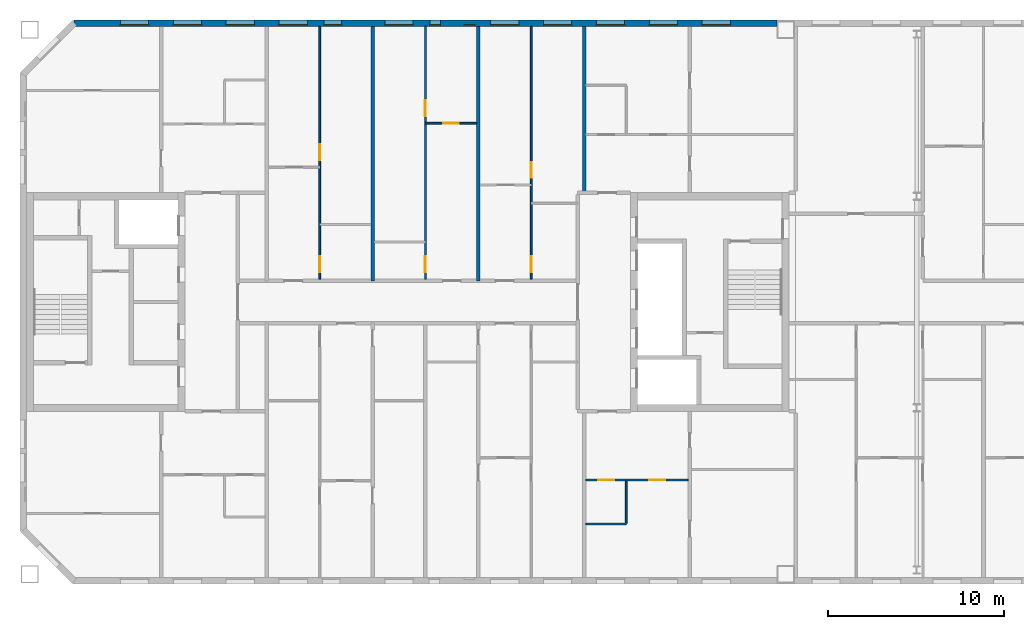
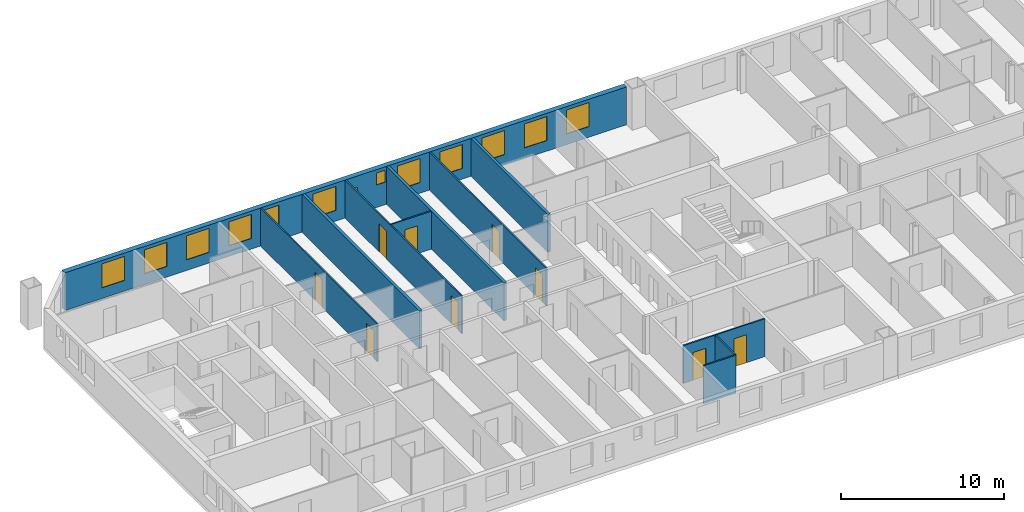
# One storey, part 7 of 19: 13 windows, 11 walls, 9 doors, 22 openings.
"""IFC4 building model written with IfcOpenShell, lengths in metres."""

from ifc_helpers import new_model, si_unit, direction, frame, frame_2d, origin, place, context, subcontext, project, spatial, rectangle, extrude, material, layer, layer_set, type_object, element, fill, save


model = new_model("IFC4")

# Units and contexts
model_context = context("Model", 3, precision=1e-05, world=origin(), true_north=direction((0.0, 1.0)))
body_context = subcontext(model_context, "Body", "Model", "MODEL_VIEW")
ifc_project = project(units=[si_unit("LENGTHUNIT", "METRE"), si_unit("AREAUNIT", "SQUARE_METRE"), si_unit("VOLUMEUNIT", "CUBIC_METRE"), si_unit("PLANEANGLEUNIT", "RADIAN"), si_unit("MASSUNIT", "GRAM", prefix="KILO")], contexts=[model_context])

# Site, building, storey
site_placement = place(None, origin())
site = spatial("IfcSite", under=ifc_project, at=site_placement, CompositionType="ELEMENT")
building_placement = place(site_placement, origin())
building = spatial("IfcBuilding", under=site, at=building_placement, Name="Tuart Gate Housing", CompositionType="ELEMENT")
storey_placement = place(building_placement, frame((0.0, 0.0, 230.699951171875)))
storey = spatial("IfcBuildingStorey", under=building, at=storey_placement, Name="L65", CompositionType="ELEMENT", Elevation=230.699951171875)

# Wall, openings, windows
ifc_material_1 = material(Name="Brick", Category="masonry")
ifc_layer_1 = layer(ifc_material_1, 0.360107421875)
ifc_layer_set_1 = layer_set([ifc_layer_1], Name="Brick pier and spandrel wall 360")
wall_type_1 = type_object("IfcWallType", Name="Brick pier and spandrel wall 360", PredefinedType="STANDARD", material=ifc_layer_set_1)
wall_1_placement = place(storey_placement, frame((74.949951171875, 85.820068359375, 0.0), z_axis=(0.0, 0.0, 1.0), x_axis=(-1.0, 0.0, 0.0)))
wall_1 = element("IfcWall", 1, at=wall_1_placement, inside=storey, type_object=wall_type_1, Name="External wall BLK-N L65", PredefinedType="STANDARD", context=body_context, shape_type="SweptSolid", body=[
    extrude(rectangle(XDim=39.87548828125, YDim=0.360107421875, at=frame_2d((19.937744140625, 0.0))), origin(), (0.0, 0.0, 1.0), 2.85009765625),
])
opening_1_placement = place(wall_1_placement, frame((2.64990234375, 0.0, 0.800048828125)))
opening_1 = element("IfcOpeningElement", 2, at=opening_1_placement, cuts=wall_1, Name="Opening W1", PredefinedType="OPENING", context=body_context, shape_type="SweptSolid", body=[
    extrude(rectangle(XDim=1.60009765625, YDim=1.800048828125, at=frame_2d((0.800048828125, 0.89990234375))), frame((0.0, 0.18994140625, 0.0), z_axis=(0.0, -1.0, 0.0), x_axis=(1.0, 0.0, 0.0)), (0.0, 0.0, 1.0), 0.380126953125),
])
opening_2_placement = place(wall_1_placement, frame((5.64990234375, 0.0, 0.800048828125)))
opening_2 = element("IfcOpeningElement", 3, at=opening_2_placement, cuts=wall_1, Name="Opening W1", PredefinedType="OPENING", context=body_context, shape_type="SweptSolid", body=[
    extrude(rectangle(XDim=1.60009765625, YDim=1.800048828125, at=frame_2d((0.800048828125, 0.89990234375))), frame((0.0, 0.18994140625, 0.0), z_axis=(0.0, -1.0, 0.0), x_axis=(1.0, 0.0, 0.0)), (0.0, 0.0, 1.0), 0.380126953125),
])
opening_3_placement = place(wall_1_placement, frame((8.64990234375, 0.0, 0.800048828125)))
opening_3 = element("IfcOpeningElement", 4, at=opening_3_placement, cuts=wall_1, Name="Opening W1", PredefinedType="OPENING", context=body_context, shape_type="SweptSolid", body=[
    extrude(rectangle(XDim=1.60009765625, YDim=1.800048828125, at=frame_2d((0.800048828125, 0.89990234375))), frame((0.0, 0.18994140625, 0.0), z_axis=(0.0, -1.0, 0.0), x_axis=(1.0, 0.0, 0.0)), (0.0, 0.0, 1.0), 0.380126953125),
])
opening_4_placement = place(wall_1_placement, frame((11.64990234375, 0.0, 0.800048828125)))
opening_4 = element("IfcOpeningElement", 5, at=opening_4_placement, cuts=wall_1, Name="Opening W1", PredefinedType="OPENING", context=body_context, shape_type="SweptSolid", body=[
    extrude(rectangle(XDim=1.60009765625, YDim=1.800048828125, at=frame_2d((0.800048828125, 0.89990234375))), frame((0.0, 0.18994140625, 0.0), z_axis=(0.0, -1.0, 0.0), x_axis=(1.0, 0.0, 0.0)), (0.0, 0.0, 1.0), 0.380126953125),
])
opening_5_placement = place(wall_1_placement, frame((14.64990234375, 0.0, 0.800048828125)))
opening_5 = element("IfcOpeningElement", 6, at=opening_5_placement, cuts=wall_1, Name="Opening W1", PredefinedType="OPENING", context=body_context, shape_type="SweptSolid", body=[
    extrude(rectangle(XDim=1.60009765625, YDim=1.800048828125, at=frame_2d((0.800048828125, 0.89990234375))), frame((0.0, 0.18994140625, 0.0), z_axis=(0.0, -1.0, 0.0), x_axis=(1.0, 0.0, 0.0)), (0.0, 0.0, 1.0), 0.380126953125),
])
opening_6_placement = place(wall_1_placement, frame((17.14990234375, 0.0, 1.699951171875)))
opening_6 = element("IfcOpeningElement", 7, at=opening_6_placement, cuts=wall_1, Name="Opening W1W", PredefinedType="OPENING", context=body_context, shape_type="SweptSolid", body=[
    extrude(rectangle(XDim=0.60009765625, YDim=0.89990234375, at=frame_2d((0.300048828125, 0.449951171875))), frame((0.0, 0.18994140625, 0.0), z_axis=(0.0, -1.0, 0.0), x_axis=(1.0, 0.0, 0.0)), (0.0, 0.0, 1.0), 0.380126953125),
])
opening_7_placement = place(wall_1_placement, frame((20.64990234375, 0.0, 0.800048828125)))
opening_7 = element("IfcOpeningElement", 8, at=opening_7_placement, cuts=wall_1, Name="Opening W1", PredefinedType="OPENING", context=body_context, shape_type="SweptSolid", body=[
    extrude(rectangle(XDim=1.60009765625, YDim=1.800048828125, at=frame_2d((0.800048828125, 0.89990234375))), frame((0.0, 0.18994140625, 0.0), z_axis=(0.0, -1.0, 0.0), x_axis=(1.0, 0.0, 0.0)), (0.0, 0.0, 1.0), 0.380126953125),
])
opening_8_placement = place(wall_1_placement, frame((24.699951171875, 0.0, 0.800048828125)))
opening_8 = element("IfcOpeningElement", 9, at=opening_8_placement, cuts=wall_1, Name="Opening W1C", PredefinedType="OPENING", context=body_context, shape_type="SweptSolid", body=[
    extrude(rectangle(XDim=1.0, YDim=1.800048828125, at=frame_2d((0.5, 0.89990234375))), frame((0.0, 0.18994140625, 0.0), z_axis=(0.0, -1.0, 0.0), x_axis=(1.0, 0.0, 0.0)), (0.0, 0.0, 1.0), 0.380126953125),
])
opening_9_placement = place(wall_1_placement, frame((26.64990234375, 0.0, 0.800048828125)))
opening_9 = element("IfcOpeningElement", 10, at=opening_9_placement, cuts=wall_1, Name="Opening W1", PredefinedType="OPENING", context=body_context, shape_type="SweptSolid", body=[
    extrude(rectangle(XDim=1.60009765625, YDim=1.800048828125, at=frame_2d((0.800048828125, 0.89990234375))), frame((0.0, 0.18994140625, 0.0), z_axis=(0.0, -1.0, 0.0), x_axis=(1.0, 0.0, 0.0)), (0.0, 0.0, 1.0), 0.380126953125),
])
opening_10_placement = place(wall_1_placement, frame((29.64990234375, 0.0, 0.800048828125)))
opening_10 = element("IfcOpeningElement", 11, at=opening_10_placement, cuts=wall_1, Name="Opening W1", PredefinedType="OPENING", context=body_context, shape_type="SweptSolid", body=[
    extrude(rectangle(XDim=1.60009765625, YDim=1.800048828125, at=frame_2d((0.800048828125, 0.89990234375))), frame((0.0, 0.18994140625, 0.0), z_axis=(0.0, -1.0, 0.0), x_axis=(1.0, 0.0, 0.0)), (0.0, 0.0, 1.0), 0.380126953125),
])
opening_11_placement = place(wall_1_placement, frame((32.64990234375, 0.0, 0.800048828125)))
opening_11 = element("IfcOpeningElement", 12, at=opening_11_placement, cuts=wall_1, Name="Opening W1", PredefinedType="OPENING", context=body_context, shape_type="SweptSolid", body=[
    extrude(rectangle(XDim=1.60009765625, YDim=1.800048828125, at=frame_2d((0.800048828125, 0.89990234375))), frame((0.0, 0.18994140625, 0.0), z_axis=(0.0, -1.0, 0.0), x_axis=(1.0, 0.0, 0.0)), (0.0, 0.0, 1.0), 0.380126953125),
])
opening_12_placement = place(wall_1_placement, frame((35.64990234375, 0.0, 0.800048828125)))
opening_12 = element("IfcOpeningElement", 13, at=opening_12_placement, cuts=wall_1, Name="Opening W1", PredefinedType="OPENING", context=body_context, shape_type="SweptSolid", body=[
    extrude(rectangle(XDim=1.60009765625, YDim=1.800048828125, at=frame_2d((0.800048828125, 0.89990234375))), frame((0.0, 0.18994140625, 0.0), z_axis=(0.0, -1.0, 0.0), x_axis=(1.0, 0.0, 0.0)), (0.0, 0.0, 1.0), 0.380126953125),
])
opening_13_placement = place(wall_1_placement, frame((19.10009765625, 0.0, 0.800048828125)))
opening_13 = element("IfcOpeningElement", 14, at=opening_13_placement, cuts=wall_1, Name="Opening W1Q", PredefinedType="OPENING", context=body_context, shape_type="SweptSolid", body=[
    extrude(rectangle(XDim=0.60009765625, YDim=1.199951171875, at=frame_2d((0.300048828125, 0.60009765625))), frame((0.0, 0.18994140625, 0.0), z_axis=(0.0, -1.0, 0.0), x_axis=(1.0, 0.0, 0.0)), (0.0, 0.0, 1.0), 0.380126953125),
])
ifc_material_2 = material(Name="Aluminium frame with clear glass", Category="aluminium")
window_type_1 = type_object("IfcWindowType", Name="Punched window 1000 x 1800", PartitioningType="SINGLE_PANEL", PredefinedType="WINDOW", material=ifc_material_2)
window_1_placement = place(opening_8_placement, origin())
window_1 = element("IfcWindow", 15, at=window_1_placement, inside=storey, type_object=window_type_1, Name="Window W1C", OverallHeight=1.800048828125, OverallWidth=1.0, PartitioningType="SINGLE_PANEL", PredefinedType="WINDOW", context=body_context, shape_type="SweptSolid", body=[
    extrude(rectangle(XDim=1.0, YDim=1.800048828125, at=frame_2d((0.5, 0.89990234375))), frame((0.0, 0.150146484375, 0.0), z_axis=(0.0, -1.0, 0.0), x_axis=(1.0, 0.0, 0.0)), (0.0, 0.0, 1.0), 0.06005859375),
])
fill(opening_8, window_1)
ifc_material_3 = material(Name="Aluminium frame with clear glass", Category="aluminium")
window_type_2 = type_object("IfcWindowType", Name="Punched window 1600 x 1800", PartitioningType="SINGLE_PANEL", PredefinedType="WINDOW", material=ifc_material_3)
window_2_placement = place(opening_1_placement, origin())
window_2 = element("IfcWindow", 16, at=window_2_placement, inside=storey, type_object=window_type_2, Name="Window W1", OverallHeight=1.800048828125, OverallWidth=1.60009765625, PartitioningType="SINGLE_PANEL", PredefinedType="WINDOW", context=body_context, shape_type="SweptSolid", body=[
    extrude(rectangle(XDim=1.60009765625, YDim=1.800048828125, at=frame_2d((0.800048828125, 0.89990234375))), frame((0.0, 0.150146484375, 0.0), z_axis=(0.0, -1.0, 0.0), x_axis=(1.0, 0.0, 0.0)), (0.0, 0.0, 1.0), 0.06005859375),
])
fill(opening_1, window_2)
window_3_placement = place(opening_2_placement, origin())
window_3 = element("IfcWindow", 17, at=window_3_placement, inside=storey, type_object=window_type_2, Name="Window W1", OverallHeight=1.800048828125, OverallWidth=1.60009765625, PartitioningType="SINGLE_PANEL", PredefinedType="WINDOW", context=body_context, shape_type="SweptSolid", body=[
    extrude(rectangle(XDim=1.60009765625, YDim=1.800048828125, at=frame_2d((0.800048828125, 0.89990234375))), frame((0.0, 0.150146484375, 0.0), z_axis=(0.0, -1.0, 0.0), x_axis=(1.0, 0.0, 0.0)), (0.0, 0.0, 1.0), 0.06005859375),
])
fill(opening_2, window_3)
window_4_placement = place(opening_3_placement, origin())
window_4 = element("IfcWindow", 18, at=window_4_placement, inside=storey, type_object=window_type_2, Name="Window W1", OverallHeight=1.800048828125, OverallWidth=1.60009765625, PartitioningType="SINGLE_PANEL", PredefinedType="WINDOW", context=body_context, shape_type="SweptSolid", body=[
    extrude(rectangle(XDim=1.60009765625, YDim=1.800048828125, at=frame_2d((0.800048828125, 0.89990234375))), frame((0.0, 0.150146484375, 0.0), z_axis=(0.0, -1.0, 0.0), x_axis=(1.0, 0.0, 0.0)), (0.0, 0.0, 1.0), 0.06005859375),
])
fill(opening_3, window_4)
window_5_placement = place(opening_4_placement, origin())
window_5 = element("IfcWindow", 19, at=window_5_placement, inside=storey, type_object=window_type_2, Name="Window W1", OverallHeight=1.800048828125, OverallWidth=1.60009765625, PartitioningType="SINGLE_PANEL", PredefinedType="WINDOW", context=body_context, shape_type="SweptSolid", body=[
    extrude(rectangle(XDim=1.60009765625, YDim=1.800048828125, at=frame_2d((0.800048828125, 0.89990234375))), frame((0.0, 0.150146484375, 0.0), z_axis=(0.0, -1.0, 0.0), x_axis=(1.0, 0.0, 0.0)), (0.0, 0.0, 1.0), 0.06005859375),
])
fill(opening_4, window_5)
window_6_placement = place(opening_5_placement, origin())
window_6 = element("IfcWindow", 20, at=window_6_placement, inside=storey, type_object=window_type_2, Name="Window W1", OverallHeight=1.800048828125, OverallWidth=1.60009765625, PartitioningType="SINGLE_PANEL", PredefinedType="WINDOW", context=body_context, shape_type="SweptSolid", body=[
    extrude(rectangle(XDim=1.60009765625, YDim=1.800048828125, at=frame_2d((0.800048828125, 0.89990234375))), frame((0.0, 0.150146484375, 0.0), z_axis=(0.0, -1.0, 0.0), x_axis=(1.0, 0.0, 0.0)), (0.0, 0.0, 1.0), 0.06005859375),
])
fill(opening_5, window_6)
window_7_placement = place(opening_7_placement, origin())
window_7 = element("IfcWindow", 21, at=window_7_placement, inside=storey, type_object=window_type_2, Name="Window W1", OverallHeight=1.800048828125, OverallWidth=1.60009765625, PartitioningType="SINGLE_PANEL", PredefinedType="WINDOW", context=body_context, shape_type="SweptSolid", body=[
    extrude(rectangle(XDim=1.60009765625, YDim=1.800048828125, at=frame_2d((0.800048828125, 0.89990234375))), frame((0.0, 0.150146484375, 0.0), z_axis=(0.0, -1.0, 0.0), x_axis=(1.0, 0.0, 0.0)), (0.0, 0.0, 1.0), 0.06005859375),
])
fill(opening_7, window_7)
window_8_placement = place(opening_9_placement, origin())
window_8 = element("IfcWindow", 22, at=window_8_placement, inside=storey, type_object=window_type_2, Name="Window W1", OverallHeight=1.800048828125, OverallWidth=1.60009765625, PartitioningType="SINGLE_PANEL", PredefinedType="WINDOW", context=body_context, shape_type="SweptSolid", body=[
    extrude(rectangle(XDim=1.60009765625, YDim=1.800048828125, at=frame_2d((0.800048828125, 0.89990234375))), frame((0.0, 0.150146484375, 0.0), z_axis=(0.0, -1.0, 0.0), x_axis=(1.0, 0.0, 0.0)), (0.0, 0.0, 1.0), 0.06005859375),
])
fill(opening_9, window_8)
window_9_placement = place(opening_10_placement, origin())
window_9 = element("IfcWindow", 23, at=window_9_placement, inside=storey, type_object=window_type_2, Name="Window W1", OverallHeight=1.800048828125, OverallWidth=1.60009765625, PartitioningType="SINGLE_PANEL", PredefinedType="WINDOW", context=body_context, shape_type="SweptSolid", body=[
    extrude(rectangle(XDim=1.60009765625, YDim=1.800048828125, at=frame_2d((0.800048828125, 0.89990234375))), frame((0.0, 0.150146484375, 0.0), z_axis=(0.0, -1.0, 0.0), x_axis=(1.0, 0.0, 0.0)), (0.0, 0.0, 1.0), 0.06005859375),
])
fill(opening_10, window_9)
window_10_placement = place(opening_11_placement, origin())
window_10 = element("IfcWindow", 24, at=window_10_placement, inside=storey, type_object=window_type_2, Name="Window W1", OverallHeight=1.800048828125, OverallWidth=1.60009765625, PartitioningType="SINGLE_PANEL", PredefinedType="WINDOW", context=body_context, shape_type="SweptSolid", body=[
    extrude(rectangle(XDim=1.60009765625, YDim=1.800048828125, at=frame_2d((0.800048828125, 0.89990234375))), frame((0.0, 0.150146484375, 0.0), z_axis=(0.0, -1.0, 0.0), x_axis=(1.0, 0.0, 0.0)), (0.0, 0.0, 1.0), 0.06005859375),
])
fill(opening_11, window_10)
window_11_placement = place(opening_12_placement, origin())
window_11 = element("IfcWindow", 25, at=window_11_placement, inside=storey, type_object=window_type_2, Name="Window W1", OverallHeight=1.800048828125, OverallWidth=1.60009765625, PartitioningType="SINGLE_PANEL", PredefinedType="WINDOW", context=body_context, shape_type="SweptSolid", body=[
    extrude(rectangle(XDim=1.60009765625, YDim=1.800048828125, at=frame_2d((0.800048828125, 0.89990234375))), frame((0.0, 0.150146484375, 0.0), z_axis=(0.0, -1.0, 0.0), x_axis=(1.0, 0.0, 0.0)), (0.0, 0.0, 1.0), 0.06005859375),
])
fill(opening_12, window_11)
ifc_material_4 = material(Name="Aluminium frame with clear glass", Category="aluminium")
window_type_3 = type_object("IfcWindowType", Name="Punched window 600 x 1200", PartitioningType="SINGLE_PANEL", PredefinedType="WINDOW", material=ifc_material_4)
window_12_placement = place(opening_13_placement, origin())
window_12 = element("IfcWindow", 26, at=window_12_placement, inside=storey, type_object=window_type_3, Name="Window W1Q", OverallHeight=1.199951171875, OverallWidth=0.60009765625, PartitioningType="SINGLE_PANEL", PredefinedType="WINDOW", context=body_context, shape_type="SweptSolid", body=[
    extrude(rectangle(XDim=0.60009765625, YDim=1.199951171875, at=frame_2d((0.300048828125, 0.60009765625))), frame((0.0, 0.150146484375, 0.0), z_axis=(0.0, -1.0, 0.0), x_axis=(1.0, 0.0, 0.0)), (0.0, 0.0, 1.0), 0.06005859375),
])
fill(opening_13, window_12)
ifc_material_5 = material(Name="Aluminium frame with clear glass", Category="aluminium")
window_type_4 = type_object("IfcWindowType", Name="Punched window 600 x 900", PartitioningType="SINGLE_PANEL", PredefinedType="WINDOW", material=ifc_material_5)
window_13_placement = place(opening_6_placement, origin())
window_13 = element("IfcWindow", 27, at=window_13_placement, inside=storey, type_object=window_type_4, Name="Window W1W", OverallHeight=0.89990234375, OverallWidth=0.60009765625, PartitioningType="SINGLE_PANEL", PredefinedType="WINDOW", context=body_context, shape_type="SweptSolid", body=[
    extrude(rectangle(XDim=0.60009765625, YDim=0.89990234375, at=frame_2d((0.300048828125, 0.449951171875))), frame((0.0, 0.150146484375, 0.0), z_axis=(0.0, -1.0, 0.0), x_axis=(1.0, 0.0, 0.0)), (0.0, 0.0, 1.0), 0.06005859375),
])
fill(opening_6, window_13)

# Wall
ifc_material_6 = material(Name="Gypsum board on steel studs", Category="steel")
ifc_layer_2 = layer(ifc_material_6, 0.10009765625)
ifc_layer_set_2 = layer_set([ifc_layer_2], Name="Partition 100")
wall_type_2 = type_object("IfcWallType", Name="Partition 100", PredefinedType="PARTITIONING", material=ifc_layer_set_2)
wall_2_placement = place(storey_placement, frame((64.10009765625, 57.39990234375, 0.0), z_axis=(0.0, 0.0, 1.0), x_axis=(1.0, 0.0, 0.0)))
element("IfcWall", 28, at=wall_2_placement, inside=storey, type_object=wall_type_2, Name="Partition 100", PredefinedType="PARTITIONING", context=body_context, shape_type="SweptSolid", body=[
    extrude(rectangle(XDim=2.2998046875, YDim=0.10009765625, at=frame_2d((1.14990234375, 0.0))), origin(), (0.0, 0.0, 1.0), 2.85009765625),
])

# Wall, openings, doors
wall_3_placement = place(storey_placement, frame((64.10009765625, 59.89990234375, 0.0), z_axis=(0.0, 0.0, 1.0), x_axis=(1.0, 0.0, 0.0)))
wall_3 = element("IfcWall", 29, at=wall_3_placement, inside=storey, type_object=wall_type_2, Name="Partition 100", PredefinedType="PARTITIONING", context=body_context, shape_type="SweptSolid", body=[
    extrude(rectangle(XDim=5.7998046875, YDim=0.10009765625, at=frame_2d((2.89990234375, 0.0))), origin(), (0.0, 0.0, 1.0), 2.85009765625),
])
opening_14_placement = place(wall_3_placement, frame((3.60009765625, 0.0, 0.0)))
opening_14 = element("IfcOpeningElement", 30, at=opening_14_placement, cuts=wall_3, Name="Opening D2493", PredefinedType="OPENING", context=body_context, shape_type="SweptSolid", body=[
    extrude(rectangle(XDim=0.89990234375, YDim=2.10009765625, at=frame_2d((0.449951171875, 1.050048828125))), frame((0.0, 0.06005859375, 0.0), z_axis=(0.0, -1.0, 0.0), x_axis=(1.0, 0.0, 0.0)), (0.0, 0.0, 1.0), 0.1201171875),
])
opening_15_placement = place(wall_3_placement, frame((0.699951171875, 0.0, 0.0)))
opening_15 = element("IfcOpeningElement", 31, at=opening_15_placement, cuts=wall_3, Name="Opening D2492", PredefinedType="OPENING", context=body_context, shape_type="SweptSolid", body=[
    extrude(rectangle(XDim=0.89990234375, YDim=2.10009765625, at=frame_2d((0.449951171875, 1.050048828125))), frame((0.0, 0.06005859375, 0.0), z_axis=(0.0, -1.0, 0.0), x_axis=(1.0, 0.0, 0.0)), (0.0, 0.0, 1.0), 0.1201171875),
])
ifc_material_7 = material(Name="Timber door leaf in steel frame", Category="steel")
door_type_1 = type_object("IfcDoorType", Name="Bathroom door 900", OperationType="SINGLE_SWING_LEFT", PredefinedType="DOOR", material=ifc_material_7)
door_1_placement = place(opening_15_placement, frame((0.89990234375, 0.0, 0.0), z_axis=(0.0, 0.0, 1.0), x_axis=(-1.0, 0.0, 0.0)))
door_1 = element("IfcDoor", 32, at=door_1_placement, inside=storey, type_object=door_type_1, Name="Bathroom door", OperationType="SINGLE_SWING_LEFT", OverallHeight=2.10009765625, OverallWidth=0.89990234375, PredefinedType="DOOR", context=body_context, shape_type="SweptSolid", body=[
    extrude(rectangle(XDim=0.89990234375, YDim=2.10009765625, at=frame_2d((0.449951171875, 1.050048828125))), frame((0.0, 0.025146484375, 0.0), z_axis=(0.0, -1.0, 0.0), x_axis=(1.0, 0.0, 0.0)), (0.0, 0.0, 1.0), 0.050048828125),
])
fill(opening_15, door_1)
ifc_material_8 = material(Name="Timber door leaf in steel frame", Category="steel")
door_type_2 = type_object("IfcDoorType", Name="Internal door 900 RH", OperationType="SINGLE_SWING_RIGHT", PredefinedType="DOOR", material=ifc_material_8)
door_2_placement = place(opening_14_placement, origin())
door_2 = element("IfcDoor", 33, at=door_2_placement, inside=storey, type_object=door_type_2, Name="Internal door", OperationType="SINGLE_SWING_RIGHT", OverallHeight=2.10009765625, OverallWidth=0.89990234375, PredefinedType="DOOR", context=body_context, shape_type="SweptSolid", body=[
    extrude(rectangle(XDim=0.89990234375, YDim=2.10009765625, at=frame_2d((0.449951171875, 1.050048828125))), frame((0.0, 0.02490234375, 0.0), z_axis=(0.0, -1.0, 0.0), x_axis=(1.0, 0.0, 0.0)), (0.0, 0.0, 1.0), 0.050048828125),
])
fill(opening_14, door_2)

# Wall, opening, door
wall_4_placement = place(storey_placement, frame((55.0, 80.139892578125, 0.0), z_axis=(0.0, 0.0, 1.0), x_axis=(1.0, 0.0, 0.0)))
wall_4 = element("IfcWall", 34, at=wall_4_placement, inside=storey, type_object=wall_type_2, Name="Partition 100", PredefinedType="PARTITIONING", context=body_context, shape_type="SweptSolid", body=[
    extrude(rectangle(XDim=2.89990234375, YDim=0.10009765625, at=frame_2d((1.449951171875, 0.0))), origin(), (0.0, 0.0, 1.0), 2.85009765625),
])
opening_16_placement = place(wall_4_placement, frame((1.0, 0.0, 0.0)))
opening_16 = element("IfcOpeningElement", 35, at=opening_16_placement, cuts=wall_4, Name="Opening D2447", PredefinedType="OPENING", context=body_context, shape_type="SweptSolid", body=[
    extrude(rectangle(XDim=0.89990234375, YDim=2.10009765625, at=frame_2d((0.449951171875, 1.050048828125))), frame((0.0, 0.06005859375, 0.0), z_axis=(0.0, -1.0, 0.0), x_axis=(1.0, 0.0, 0.0)), (0.0, 0.0, 1.0), 0.1201171875),
])
door_3_placement = place(opening_16_placement, frame((0.89990234375, 0.0, 0.0), z_axis=(0.0, 0.0, 1.0), x_axis=(-1.0, 0.0, 0.0)))
door_3 = element("IfcDoor", 36, at=door_3_placement, inside=storey, type_object=door_type_2, Name="Internal door", OperationType="SINGLE_SWING_RIGHT", OverallHeight=2.10009765625, OverallWidth=0.89990234375, PredefinedType="DOOR", context=body_context, shape_type="SweptSolid", body=[
    extrude(rectangle(XDim=0.89990234375, YDim=2.10009765625, at=frame_2d((0.449951171875, 1.050048828125))), frame((0.0, 0.025146484375, 0.0), z_axis=(0.0, -1.0, 0.0), x_axis=(1.0, 0.0, 0.0)), (0.0, 0.0, 1.0), 0.050048828125),
])
fill(opening_16, door_3)

# Wall, openings, doors
wall_5_placement = place(storey_placement, frame((49.0, 71.300048828125, 0.0), z_axis=(0.0, 0.0, 1.0), x_axis=(0.0, 1.0, 0.0)))
wall_5 = element("IfcWall", 37, at=wall_5_placement, inside=storey, type_object=wall_type_2, Name="Partition 100", PredefinedType="PARTITIONING", context=body_context, shape_type="SweptSolid", body=[
    extrude(rectangle(XDim=14.33984375, YDim=0.10009765625, at=frame_2d((7.169921875, 0.0))), origin(), (0.0, 0.0, 1.0), 2.85009765625),
])
opening_17_placement = place(wall_5_placement, frame((6.739990234375, 0.0, 0.0)))
opening_17 = element("IfcOpeningElement", 38, at=opening_17_placement, cuts=wall_5, Name="Opening D2453", PredefinedType="OPENING", context=body_context, shape_type="SweptSolid", body=[
    extrude(rectangle(XDim=0.89990234375, YDim=2.10009765625, at=frame_2d((0.449951171875, 1.050048828125))), frame((0.0, 0.06005859375, 0.0), z_axis=(0.0, -1.0, 0.0), x_axis=(1.0, 0.0, 0.0)), (0.0, 0.0, 1.0), 0.1201171875),
])
opening_18_placement = place(wall_5_placement, frame((0.39990234375, 0.0, 0.0)))
opening_18 = element("IfcOpeningElement", 39, at=opening_18_placement, cuts=wall_5, Name="Opening D2452", PredefinedType="OPENING", context=body_context, shape_type="SweptSolid", body=[
    extrude(rectangle(XDim=0.89990234375, YDim=2.10009765625, at=frame_2d((0.449951171875, 1.050048828125))), frame((0.0, 0.06005859375, 0.0), z_axis=(0.0, -1.0, 0.0), x_axis=(1.0, 0.0, 0.0)), (0.0, 0.0, 1.0), 0.1201171875),
])
ifc_material_9 = material(Name="Timber door leaf in steel frame", Category="steel")
door_type_3 = type_object("IfcDoorType", Name="Bathroom door 900 RH", OperationType="SINGLE_SWING_RIGHT", PredefinedType="DOOR", material=ifc_material_9)
door_4_placement = place(opening_18_placement, frame((0.89990234375, 0.0, 0.0), z_axis=(0.0, 0.0, 1.0), x_axis=(-1.0, 0.0, 0.0)))
door_4 = element("IfcDoor", 40, at=door_4_placement, inside=storey, type_object=door_type_3, Name="Bathroom door", OperationType="SINGLE_SWING_RIGHT", OverallHeight=2.10009765625, OverallWidth=0.89990234375, PredefinedType="DOOR", context=body_context, shape_type="SweptSolid", body=[
    extrude(rectangle(XDim=0.89990234375, YDim=2.10009765625, at=frame_2d((0.449951171875, 1.050048828125))), frame((0.0, 0.025146484375, 0.0), z_axis=(0.0, -1.0, 0.0), x_axis=(1.0, 0.0, 0.0)), (0.0, 0.0, 1.0), 0.050048828125),
])
fill(opening_18, door_4)
door_5_placement = place(opening_17_placement, frame((0.89990234375, 0.0, 0.0), z_axis=(0.0, 0.0, 1.0), x_axis=(-1.0, 0.0, 0.0)))
door_5 = element("IfcDoor", 41, at=door_5_placement, inside=storey, type_object=door_type_2, Name="Internal door", OperationType="SINGLE_SWING_RIGHT", OverallHeight=2.10009765625, OverallWidth=0.89990234375, PredefinedType="DOOR", context=body_context, shape_type="SweptSolid", body=[
    extrude(rectangle(XDim=0.89990234375, YDim=2.10009765625, at=frame_2d((0.449951171875, 1.050048828125))), frame((0.0, 0.025146484375, 0.0), z_axis=(0.0, -1.0, 0.0), x_axis=(1.0, 0.0, 0.0)), (0.0, 0.0, 1.0), 0.050048828125),
])
fill(opening_17, door_5)

wall_6_placement = place(storey_placement, frame((55.0, 71.300048828125, 0.0), z_axis=(0.0, 0.0, 1.0), x_axis=(0.0, 1.0, 0.0)))
wall_6 = element("IfcWall", 42, at=wall_6_placement, inside=storey, type_object=wall_type_2, Name="Partition 100", PredefinedType="PARTITIONING", context=body_context, shape_type="SweptSolid", body=[
    extrude(rectangle(XDim=14.33984375, YDim=0.10009765625, at=frame_2d((7.169921875, 0.0))), origin(), (0.0, 0.0, 1.0), 2.85009765625),
])
opening_19_placement = place(wall_6_placement, frame((9.239990234375, 0.0, 0.0)))
opening_19 = element("IfcOpeningElement", 43, at=opening_19_placement, cuts=wall_6, Name="Opening D2455", PredefinedType="OPENING", context=body_context, shape_type="SweptSolid", body=[
    extrude(rectangle(XDim=0.89990234375, YDim=2.10009765625, at=frame_2d((0.449951171875, 1.050048828125))), frame((0.0, 0.06005859375, 0.0), z_axis=(0.0, -1.0, 0.0), x_axis=(1.0, 0.0, 0.0)), (0.0, 0.0, 1.0), 0.1201171875),
])
opening_20_placement = place(wall_6_placement, frame((0.39990234375, 0.0, 0.0)))
opening_20 = element("IfcOpeningElement", 44, at=opening_20_placement, cuts=wall_6, Name="Opening D2454", PredefinedType="OPENING", context=body_context, shape_type="SweptSolid", body=[
    extrude(rectangle(XDim=0.89990234375, YDim=2.10009765625, at=frame_2d((0.449951171875, 1.050048828125))), frame((0.0, 0.06005859375, 0.0), z_axis=(0.0, -1.0, 0.0), x_axis=(1.0, 0.0, 0.0)), (0.0, 0.0, 1.0), 0.1201171875),
])
door_6_placement = place(opening_20_placement, origin())
door_6 = element("IfcDoor", 45, at=door_6_placement, inside=storey, type_object=door_type_1, Name="Bathroom door", OperationType="SINGLE_SWING_LEFT", OverallHeight=2.10009765625, OverallWidth=0.89990234375, PredefinedType="DOOR", context=body_context, shape_type="SweptSolid", body=[
    extrude(rectangle(XDim=0.89990234375, YDim=2.10009765625, at=frame_2d((0.449951171875, 1.050048828125))), frame((0.0, 0.02490234375, 0.0), z_axis=(0.0, -1.0, 0.0), x_axis=(1.0, 0.0, 0.0)), (0.0, 0.0, 1.0), 0.050048828125),
])
fill(opening_20, door_6)
door_7_placement = place(opening_19_placement, origin())
door_7 = element("IfcDoor", 46, at=door_7_placement, inside=storey, type_object=door_type_2, Name="Internal door", OperationType="SINGLE_SWING_RIGHT", OverallHeight=2.10009765625, OverallWidth=0.89990234375, PredefinedType="DOOR", context=body_context, shape_type="SweptSolid", body=[
    extrude(rectangle(XDim=0.89990234375, YDim=2.10009765625, at=frame_2d((0.449951171875, 1.050048828125))), frame((0.0, 0.02490234375, 0.0), z_axis=(0.0, -1.0, 0.0), x_axis=(1.0, 0.0, 0.0)), (0.0, 0.0, 1.0), 0.050048828125),
])
fill(opening_19, door_7)

wall_7_placement = place(storey_placement, frame((61.0, 71.300048828125, 0.0), z_axis=(0.0, 0.0, 1.0), x_axis=(0.0, 1.0, 0.0)))
wall_7 = element("IfcWall", 47, at=wall_7_placement, inside=storey, type_object=wall_type_2, Name="Partition 100", PredefinedType="PARTITIONING", context=body_context, shape_type="SweptSolid", body=[
    extrude(rectangle(XDim=14.33984375, YDim=0.10009765625, at=frame_2d((7.169921875, 0.0))), origin(), (0.0, 0.0, 1.0), 2.85009765625),
])
opening_21_placement = place(wall_7_placement, frame((5.739990234375, 0.0, 0.0)))
opening_21 = element("IfcOpeningElement", 48, at=opening_21_placement, cuts=wall_7, Name="Opening D2457", PredefinedType="OPENING", context=body_context, shape_type="SweptSolid", body=[
    extrude(rectangle(XDim=0.89990234375, YDim=2.10009765625, at=frame_2d((0.449951171875, 1.050048828125))), frame((0.0, 0.06005859375, 0.0), z_axis=(0.0, -1.0, 0.0), x_axis=(1.0, 0.0, 0.0)), (0.0, 0.0, 1.0), 0.1201171875),
])
opening_22_placement = place(wall_7_placement, frame((0.39990234375, 0.0, 0.0)))
opening_22 = element("IfcOpeningElement", 49, at=opening_22_placement, cuts=wall_7, Name="Opening D2456", PredefinedType="OPENING", context=body_context, shape_type="SweptSolid", body=[
    extrude(rectangle(XDim=0.89990234375, YDim=2.10009765625, at=frame_2d((0.449951171875, 1.050048828125))), frame((0.0, 0.06005859375, 0.0), z_axis=(0.0, -1.0, 0.0), x_axis=(1.0, 0.0, 0.0)), (0.0, 0.0, 1.0), 0.1201171875),
])
door_8_placement = place(opening_22_placement, frame((0.89990234375, 0.0, 0.0), z_axis=(0.0, 0.0, 1.0), x_axis=(-1.0, 0.0, 0.0)))
door_8 = element("IfcDoor", 50, at=door_8_placement, inside=storey, type_object=door_type_3, Name="Bathroom door", OperationType="SINGLE_SWING_RIGHT", OverallHeight=2.10009765625, OverallWidth=0.89990234375, PredefinedType="DOOR", context=body_context, shape_type="SweptSolid", body=[
    extrude(rectangle(XDim=0.89990234375, YDim=2.10009765625, at=frame_2d((0.449951171875, 1.050048828125))), frame((0.0, 0.025146484375, 0.0), z_axis=(0.0, -1.0, 0.0), x_axis=(1.0, 0.0, 0.0)), (0.0, 0.0, 1.0), 0.050048828125),
])
fill(opening_22, door_8)
door_9_placement = place(opening_21_placement, frame((0.89990234375, 0.0, 0.0), z_axis=(0.0, 0.0, 1.0), x_axis=(-1.0, 0.0, 0.0)))
door_9 = element("IfcDoor", 51, at=door_9_placement, inside=storey, type_object=door_type_2, Name="Internal door", OperationType="SINGLE_SWING_RIGHT", OverallHeight=2.10009765625, OverallWidth=0.89990234375, PredefinedType="DOOR", context=body_context, shape_type="SweptSolid", body=[
    extrude(rectangle(XDim=0.89990234375, YDim=2.10009765625, at=frame_2d((0.449951171875, 1.050048828125))), frame((0.0, 0.025146484375, 0.0), z_axis=(0.0, -1.0, 0.0), x_axis=(1.0, 0.0, 0.0)), (0.0, 0.0, 1.0), 0.050048828125),
])
fill(opening_21, door_9)

# Walls
wall_8_placement = place(storey_placement, frame((66.39990234375, 57.449951171875, 0.0), z_axis=(0.0, 0.0, 1.0), x_axis=(0.0, 1.0, 0.0)))
element("IfcWall", 52, at=wall_8_placement, inside=storey, type_object=wall_type_2, Name="Partition 100", PredefinedType="PARTITIONING", context=body_context, shape_type="SweptSolid", body=[
    extrude(rectangle(XDim=2.400146484375, YDim=0.10009765625, at=frame_2d((1.2001953125, 0.0))), origin(), (0.0, 0.0, 1.0), 2.85009765625),
])
ifc_material_10 = material(Name="Concrete C40", Category="concrete")
ifc_layer_3 = layer(ifc_material_10, 0.199951171875)
ifc_layer_set_3 = layer_set([ifc_layer_3], Name="Party wall concrete C40 200")
wall_type_3 = type_object("IfcWallType", Name="Party wall concrete C40 200", PredefinedType="SOLIDWALL", material=ifc_layer_set_3)
for number, where, z_axis, x_axis, name in (
    (53, (52.0, 71.199951171875, 0.0), (0.0, 0.0, 1.0), (0.0, 1.0, 0.0), "Party wall concrete C40 200"),
    (54, (58.0, 71.199951171875, 0.0), (0.0, 0.0, 1.0), (0.0, 1.0, 0.0), "Party wall concrete C40 200"),
):
    element("IfcWall", number, at=place(storey_placement, frame(where, z_axis=z_axis, x_axis=x_axis)), inside=storey, type_object=wall_type_3, Name=name, PredefinedType="SOLIDWALL", context=body_context, shape_type="SweptSolid", body=[
        extrude(rectangle(XDim=14.43994140625, YDim=0.199951171875, at=frame_2d((7.219970703125, 0.0))), origin(), (0.0, 0.0, 1.0), 2.85009765625),
    ])
wall_9_placement = place(storey_placement, frame((64.0, 76.199951171875, 0.0), z_axis=(0.0, 0.0, 1.0), x_axis=(0.0, 1.0, 0.0)))
element("IfcWall", 55, at=wall_9_placement, inside=storey, type_object=wall_type_3, Name="Party wall concrete C40 200", PredefinedType="SOLIDWALL", context=body_context, shape_type="SweptSolid", body=[
    extrude(rectangle(XDim=9.43994140625, YDim=0.199951171875, at=frame_2d((4.719970703125, 0.0))), origin(), (0.0, 0.0, 1.0), 2.85009765625),
])

save(model, "model.ifc")
